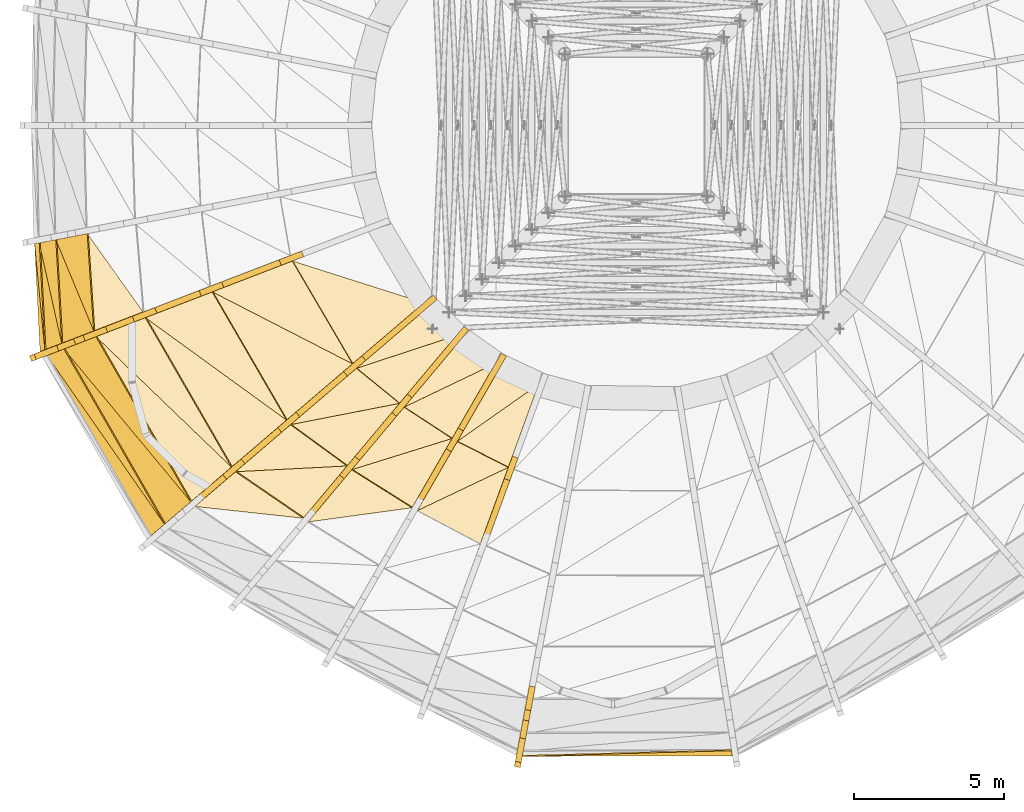
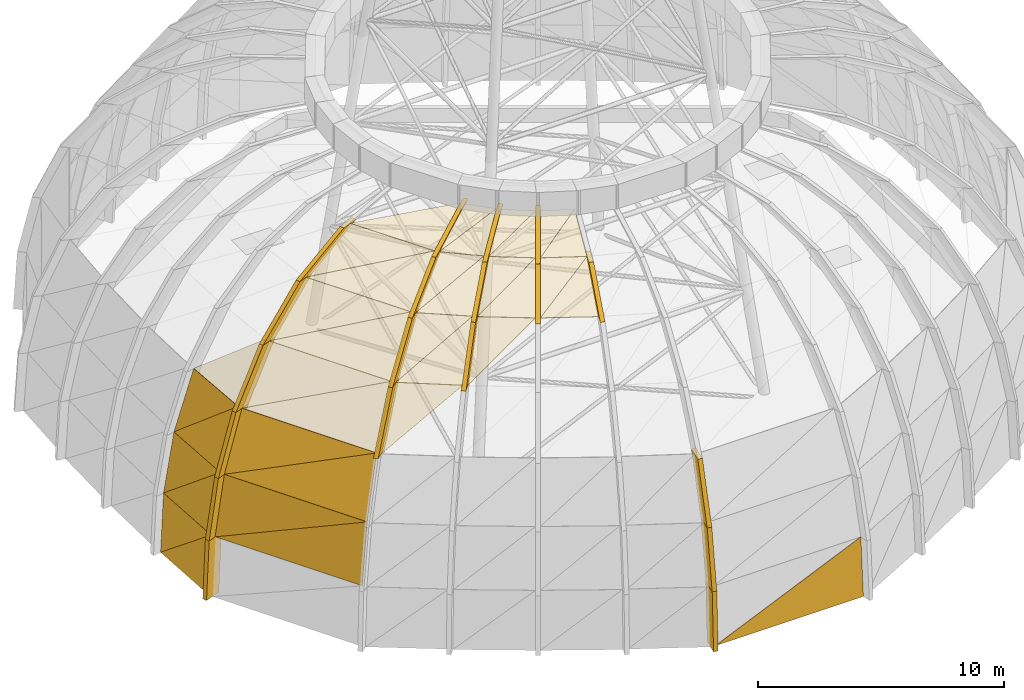
# One storey, part 17 of 27: 35 coverings, 19 shading devices.
"""IFC4 building model written with IfcOpenShell, lengths in metres."""

from ifc_helpers import new_model, si_unit, direction, frame, origin, place, context, subcontext, project, spatial, polyline, outline, extrude, material, layer, layer_set, type_object, element, save


model = new_model("IFC4")

# Units and contexts
model_context = context("Model", 3, precision=1e-05, world=origin(), true_north=direction((0.0, 1.0)))
body_context = subcontext(model_context, "Body", "Model", "MODEL_VIEW")
ifc_project = project(units=[si_unit("LENGTHUNIT", "METRE"), si_unit("AREAUNIT", "SQUARE_METRE"), si_unit("VOLUMEUNIT", "CUBIC_METRE"), si_unit("PLANEANGLEUNIT", "RADIAN"), si_unit("MASSUNIT", "GRAM", prefix="KILO")], contexts=[model_context])

# Site, building, storey
site_placement = place(None, origin())
site = spatial("IfcSite", under=ifc_project, at=site_placement, CompositionType="ELEMENT")
building_placement = place(site_placement, origin())
building = spatial("IfcBuilding", under=site, at=building_placement, Name="Ayvan Gate Tower", CompositionType="ELEMENT")
storey_placement = place(building_placement, frame((0.0, 0.0, 267.699951171875)))
storey = spatial("IfcBuildingStorey", under=building, at=storey_placement, Name="Roof", CompositionType="ELEMENT", Elevation=267.699951171875)

# Shading devices
ifc_material_1 = material(Name="Bronze anodised aluminium", Category="aluminium")
ifc_layer_1 = layer(ifc_material_1, 0.199951171875)
ifc_layer_set_1 = layer_set([ifc_layer_1], Name="Bronze anodised aluminium")
shading_device_type = type_object("IfcShadingDeviceType", Name="Crown frame rib 800 x 200", PredefinedType="USERDEFINED", material=ifc_layer_set_1)
shading_device_1_placement = place(storey_placement, frame((-19.433349609375, -7.376220703125, 0.0), z_axis=(-0.359336865758, 0.933207758375, 0.000544624427), x_axis=(-0.933207896762, -0.35933691909, 7.7547e-08)))
element("IfcShadingDevice", 1, at=shading_device_1_placement, inside=storey, type_object=shading_device_type, Name="CROWN FRAME rib FD01.4.5", ObjectType="FIN", PredefinedType="USERDEFINED", context=body_context, shape_type="SweptSolid", body=[
    extrude(outline(polyline([(0.0, 0.0), (0.8000607028774722, 2.710505431213761e-20), (0.631877666697341, 2.870117564161158), (-0.1680953074401191, 2.870117688238294), (0.0, 0.0)])), origin(), (0.0, 0.0, -1.0), 0.199951171875),
])
shading_device_2_placement = place(storey_placement, frame((-19.2763671875, -7.31591796875, 2.8701171875), z_axis=(-0.359203980687, 0.933258940476, 0.000500280807), x_axis=(-0.933259057264, -0.359204025638, 0.0)))
element("IfcShadingDevice", 2, at=shading_device_2_placement, inside=storey, type_object=shading_device_type, Name="CROWN FRAME rib FD02.4.5", ObjectType="FIN", PredefinedType="USERDEFINED", context=body_context, shape_type="SweptSolid", body=[
    extrude(outline(polyline([(0.0, 0.0), (0.7999729822484152, -2.710505431213761e-20), (0.19961234039153594, 2.7768558162469885), (-0.6003606418568792, 2.7768558162469885), (0.0, 0.0)])), origin(), (0.0, 0.0, -1.0), 0.199951171875),
])
shading_device_3_placement = place(storey_placement, frame((-18.716064453125, -7.10009765625, 5.64697265625), z_axis=(-0.359336855256, 0.933207731103, 0.000595872754), x_axis=(-0.933207896795, -0.359336919003, -8.4853e-08)))
element("IfcShadingDevice", 3, at=shading_device_3_placement, inside=storey, type_object=shading_device_type, Name="CROWN FRAME rib FD03.4.5", ObjectType="FIN", PredefinedType="USERDEFINED", context=body_context, shape_type="SweptSolid", body=[
    extrude(outline(polyline([(0.0, 0.0), (0.79997297413747, 0.0), (-0.3397502041687962, 2.660156693434655), (-1.1398109070462572, 2.660156557667163), (0.0, 0.0)])), origin(), (0.0, 0.0, -1.0), 0.199951171875),
])
shading_device_4_placement = place(storey_placement, frame((-17.652587890625, -6.6904296875, 8.30712890625), z_axis=(-0.359469683671, 0.933156445386, 0.000771333444), x_axis=(-0.93315672298, -0.359469790605, 0.0)))
element("IfcShadingDevice", 4, at=shading_device_4_placement, inside=storey, type_object=shading_device_type, Name="CROWN FRAME rib FD04.4.5", ObjectType="FIN", PredefinedType="USERDEFINED", context=body_context, shape_type="SweptSolid", body=[
    extrude(outline(polyline([(0.0, 0.0), (0.8000607109875282, 0.0), (-0.9576389630111862, 2.3798835204622404), (-1.7576996739987145, 2.3798835204622404), (0.0, 0.0)])), origin(), (0.0, 0.0, -1.0), 0.199951171875),
])
shading_device_5_placement = place(storey_placement, frame((-16.012451171875, -6.058837890625, 10.68701171875), z_axis=(-0.359469607619, 0.933156247962, 0.001009003425), x_axis=(-0.93315672298, -0.359469790605, 0.0)))
element("IfcShadingDevice", 5, at=shading_device_5_placement, inside=storey, type_object=shading_device_type, Name="CROWN FRAME rib FD05.4.5", ObjectType="FIN", PredefinedType="USERDEFINED", context=body_context, shape_type="SweptSolid", body=[
    extrude(outline(polyline([(0.0, 0.0), (0.8000607109875282, 0.0), (-1.5805588739974379, 1.865967746734845), (-2.380619584984966, 1.865967746734845), (0.0, 0.0)])), origin(), (0.0, 0.0, -1.0), 0.199951171875),
])
shading_device_6_placement = place(storey_placement, frame((-13.790771484375, -5.203369140625, 12.552978515625), z_axis=(-0.359469319253, 0.933155499385, 0.00161940853), x_axis=(-0.93315672298, -0.359469790605, 0.0)))
element("IfcShadingDevice", 6, at=shading_device_6_placement, inside=storey, type_object=shading_device_type, Name="CROWN FRAME rib FD06.4.5", ObjectType="FIN", PredefinedType="USERDEFINED", context=body_context, shape_type="SweptSolid", body=[
    extrude(outline(polyline([(0.0, 0.0), (0.8000607109875282, 0.0), (-2.0496857366953956, 1.1201186562475833), (-2.8497464476829237, 1.1201186562475833), (0.0, 0.0)])), origin(), (0.0, 0.0, -1.0), 0.199951171875),
])
shading_device_7_placement = place(storey_placement, frame((-14.492919921875, -12.248779296875, 8.30712890625), z_axis=(-0.649471031105, 0.760386097963, 0.000601481535), x_axis=(-0.760386235536, -0.649471148556, -6.9784e-08)))
element("IfcShadingDevice", 7, at=shading_device_7_placement, inside=storey, type_object=shading_device_type, Name="CROWN FRAME rib FD04.5.1", ObjectType="FIN", PredefinedType="USERDEFINED", context=body_context, shape_type="SweptSolid", body=[
    extrude(outline(polyline([(0.0, 0.0), (0.8000383552451382, 2.710505431213761e-20), (-0.974522896121218, 2.3798831749910727), (-1.7747198136584843, 2.3798830633202717), (0.0, 0.0)])), origin(), (0.0, 0.0, -1.0), 0.199951171875),
])
shading_device_8_placement = place(storey_placement, frame((-13.1435546875, -11.09619140625, 10.68701171875), z_axis=(-0.649470992983, 0.760386053331, 0.000692223425), x_axis=(-0.760386235545, -0.649471148546, -8.0312e-08)))
element("IfcShadingDevice", 8, at=shading_device_8_placement, inside=storey, type_object=shading_device_type, Name="CROWN FRAME rib FD05.5.1", ObjectType="FIN", PredefinedType="USERDEFINED", context=body_context, shape_type="SweptSolid", body=[
    extrude(outline(polyline([(0.0, 0.0), (0.8000383552451389, 5.421010862427522e-20), (-1.6036272104933176, 1.8659671151455581), (-2.403824128030582, 1.8659669866276567), (0.0, 0.0)])), origin(), (0.0, 0.0, -1.0), 0.199951171875),
])
shading_device_9_placement = place(storey_placement, frame((-11.31591796875, -9.534912109375, 12.552978515625), z_axis=(-0.649545812702, 0.760321067581, 0.001453063698), x_axis=(-0.760321870546, -0.649546498081, -3.12581e-07)))
element("IfcShadingDevice", 9, at=shading_device_9_placement, inside=storey, type_object=shading_device_type, Name="CROWN FRAME rib FD06.5.1", ObjectType="FIN", PredefinedType="USERDEFINED", context=body_context, shape_type="SweptSolid", body=[
    extrude(outline(polyline([(0.0, 0.0), (0.8000383421184255, 0.0), (-2.0774221158296022, 1.1201177206438133), (-2.8774334131793595, 1.1201172204988132), (0.0, 0.0)])), origin(), (0.0, 0.0, -1.0), 0.199951171875),
])
shading_device_10_placement = place(storey_placement, frame((-9.128173828125, -7.666015625, 13.673095703125), z_axis=(-0.649525977119, 0.760323876411, 0.004858807143), x_axis=(-0.760332851436, -0.649533644261, 0.0)))
element("IfcShadingDevice", 10, at=shading_device_10_placement, inside=storey, type_object=shading_device_type, Name="CROWN FRAME rib FD07.5.1", ObjectType="FIN", PredefinedType="USERDEFINED", context=body_context, shape_type="SweptSolid", body=[
    extrude(outline(polyline([(0.0, 0.0), (0.7998527167760876, 0.0), (-2.31985355644275, 0.326908155722765), (-3.1197062732188368, 0.326908155722765), (0.0, 0.0)])), origin(), (0.0, 0.0, -1.0), 0.199951171875),
])
shading_device_11_placement = place(storey_placement, frame((-10.807861328125, -12.744873046875, 10.68701171875), z_axis=(-0.766542525674, 0.642192971847, 0.000862116076), x_axis=(-0.642193210567, -0.766542810482, -1.0082e-07)))
element("IfcShadingDevice", 11, at=shading_device_11_placement, inside=storey, type_object=shading_device_type, Name="CROWN FRAME rib FD05.5.2", ObjectType="FIN", PredefinedType="USERDEFINED", context=body_context, shape_type="SweptSolid", body=[
    extrude(outline(polyline([(0.0, 0.0), (0.8001397090269313, 0.0), (-1.4632433848154347, 1.865967342785733), (-2.2632263083905677, 1.8659671814614818), (0.0, 0.0)])), origin(), (0.0, 0.0, -1.0), 0.199951171875),
])
shading_device_12_placement = place(storey_placement, frame((-9.3544921875, -11.010009765625, 12.552978515625), z_axis=(-0.766616837946, 0.642102638152, 0.001681027904), x_axis=(-0.642103545399, -0.766617921123, 0.0)))
element("IfcShadingDevice", 12, at=shading_device_12_placement, inside=storey, type_object=shading_device_type, Name="CROWN FRAME rib FD06.5.2", ObjectType="FIN", PredefinedType="USERDEFINED", context=body_context, shape_type="SweptSolid", body=[
    extrude(outline(polyline([(0.0, 0.0), (0.7999829290476004, 1.0842021724855044e-19), (-1.9094981913355675, 1.120118770147627), (-2.7094811203831677, 1.120118770147627), (0.0, 0.0)])), origin(), (0.0, 0.0, -1.0), 0.199951171875),
])
shading_device_13_placement = place(storey_placement, frame((-7.614501953125, -8.93310546875, 13.673095703125), z_axis=(-0.766604452941, 0.642092264725, 0.005927588981), x_axis=(-0.642103545399, -0.766617921123, 0.0)))
element("IfcShadingDevice", 13, at=shading_device_13_placement, inside=storey, type_object=shading_device_type, Name="CROWN FRAME rib FD07.5.2", ObjectType="FIN", PredefinedType="USERDEFINED", context=body_context, shape_type="SweptSolid", body=[
    extrude(outline(polyline([(0.0, 0.0), (0.7999829290476004, 8.673617379884035e-19), (-2.1375647340023254, 0.3269100401318892), (-2.9375476630499255, 0.3269100401318892), (0.0, 0.0)])), origin(), (0.0, 0.0, -1.0), 0.199951171875),
])
shading_device_14_placement = place(storey_placement, frame((-7.251220703125, -12.359619140625, 12.552978515625), z_axis=(-0.866027329908, 0.499994989448, 0.001293978417), x_axis=(-0.499995407848, -0.866028055049, 1.70994e-07)))
element("IfcShadingDevice", 14, at=shading_device_14_placement, inside=storey, type_object=shading_device_type, Name="CROWN FRAME rib FD06.5.3", ObjectType="FIN", PredefinedType="USERDEFINED", context=body_context, shape_type="SweptSolid", body=[
    extrude(outline(polyline([(0.0, 0.0), (0.7999951411822099, -1.0842021724855044e-19), (-1.852975118888905, 1.1201184421004144), (-2.6530923292624835, 1.120118715710548), (0.0, 0.0)])), origin(), (0.0, 0.0, -1.0), 0.199951171875),
])
shading_device_15_placement = place(storey_placement, frame((-5.9248046875, -10.06201171875, 13.673095703125), z_axis=(-0.866079780747, 0.499872685294, 0.005754292224), x_axis=(-0.499880961361, -0.866094119867, 0.0)))
element("IfcShadingDevice", 15, at=shading_device_15_placement, inside=storey, type_object=shading_device_type, Name="CROWN FRAME rib FD07.5.3", ObjectType="FIN", PredefinedType="USERDEFINED", context=body_context, shape_type="SweptSolid", body=[
    extrude(outline(polyline([(0.0, 0.0), (0.7999951481672026, -4.336808689942018e-19), (-2.076337413070943, 0.3269097092171718), (-2.8763325612381454, 0.3269097092171718), (0.0, 0.0)])), origin(), (0.0, 0.0, -1.0), 0.199951171875),
])
shading_device_16_placement = place(storey_placement, frame((-5.04541015625, -13.53759765625, 12.552978515625), z_axis=(-0.9394445862, 0.342698155044, 0.001357935862), x_axis=(-0.34269847092, -0.939445452397, 7.0996e-08)))
element("IfcShadingDevice", 16, at=shading_device_16_placement, inside=storey, type_object=shading_device_type, Name="CROWN FRAME rib FD06.5.4", ObjectType="FIN", PredefinedType="USERDEFINED", context=body_context, shape_type="SweptSolid", body=[
    extrude(outline(polyline([(0.0, 0.0), (0.8001471998957537, 0.0), (-1.9093541540571828, 1.1201183557995615), (-2.7092719971530346, 1.1201184693971804), (0.0, 0.0)])), origin(), (0.0, 0.0, -1.0), 0.199951171875),
])
shading_device_17_placement = place(storey_placement, frame((-3.9091796875, -20.53369140625, 0.0), z_axis=(-0.983263643905, 0.182187583926, 0.000539294387), x_axis=(-0.18218761042, -0.98326378689, 0.0)))
element("IfcShadingDevice", 17, at=shading_device_17_placement, inside=storey, type_object=shading_device_type, Name="CROWN FRAME rib FD01.5.5", ObjectType="FIN", PredefinedType="USERDEFINED", context=body_context, shape_type="SweptSolid", body=[
    extrude(outline(polyline([(0.0, 0.0), (0.8000102355421451, 1.3552527156068805e-20), (0.6301371597043045, 2.870117604870288), (-0.16987307583784064, 2.870117604870288), (0.0, 0.0)])), origin(), (0.0, 0.0, -1.0), 0.199951171875),
])
shading_device_18_placement = place(storey_placement, frame((-3.878173828125, -20.36669921875, 2.8701171875), z_axis=(-0.983231242782, 0.182362460829, 0.000506061118), x_axis=(-0.182362484136, -0.983231368692, 9.0005e-08)))
element("IfcShadingDevice", 18, at=shading_device_18_placement, inside=storey, type_object=shading_device_type, Name="CROWN FRAME rib FD02.5.5", ObjectType="FIN", PredefinedType="USERDEFINED", context=body_context, shape_type="SweptSolid", body=[
    extrude(outline(polyline([(0.0, 0.0), (0.8000102228892775, 0.0), (0.1936653095594584, 2.7768558068926743), (-0.6061493886998006, 2.776855950884287), (0.0, 0.0)])), origin(), (0.0, 0.0, -1.0), 0.199951171875),
])
shading_device_19_placement = place(storey_placement, frame((-3.767578125, -19.7705078125, 5.64697265625), z_axis=(-0.983236281722, 0.182335095695, 0.000571999218), x_axis=(-0.182335125572, -0.983236442562, -8.5811e-08)))
element("IfcShadingDevice", 19, at=shading_device_19_placement, inside=storey, type_object=shading_device_type, Name="CROWN FRAME rib FD03.5.5", ObjectType="FIN", PredefinedType="USERDEFINED", context=body_context, shape_type="SweptSolid", body=[
    extrude(outline(polyline([(0.0, 0.0), (0.8000547419501706, 0.0), (-0.3506380295671277, 2.6601566550905527), (-1.1506482561057816, 2.6601565177871276), (0.0, 0.0)])), origin(), (0.0, 0.0, -1.0), 0.199951171875),
])

# Coverings
ifc_material_2 = material(Name="Pale metal cladding")
ifc_layer_2 = layer(ifc_material_2, 0.0400390625)
ifc_layer_set_2 = layer_set([ifc_layer_2], Name="Pale metal cladding")
covering_type = type_object("IfcCoveringType", Name="Dome cladding panel 40", PredefinedType="CLADDING", material=ifc_layer_set_2)
covering_1_placement = place(storey_placement, frame((-20.008544921875, -3.936279296875, 0.001220703125), z_axis=(-0.997170162946, -0.050595366846, 0.055603731744), x_axis=(0.050673763426, -0.998715259571, 0.0)))
element("IfcCovering", 20, at=covering_1_placement, inside=storey, type_object=covering_type, Name="Dome cladding panel 2.1A", PredefinedType="CLADDING", context=body_context, shape_type="SweptSolid", body=[
    extrude(outline(polyline([(0.0, 0.0), (3.5893281518641094, 0.0), (3.5370577809580284, 2.8745643807121617), (0.0, 0.0)])), origin(), (0.0, 0.0, -1.0), 0.0400390625),
])
covering_2_placement = place(storey_placement, frame((-20.008544921875, -3.936279296875, 0.0009765625), z_axis=(-0.997190396793, -0.051856366722, 0.054057652326), x_axis=(0.074348210418, -0.773264240345, 0.629710058846)))
element("IfcCovering", 21, at=covering_2_placement, inside=storey, type_object=covering_type, Name="Dome cladding panel 2.1B", PredefinedType="CLADDING", context=body_context, shape_type="SweptSolid", body=[
    extrude(outline(polyline([(0.0, 0.0), (4.557839194694655, 0.0), (1.7959521971389674, 2.2442667604692623), (0.0, 0.0)])), origin(), (0.0, 0.0, -1.0), 0.0400390625),
])
covering_3_placement = place(storey_placement, frame((-19.85400390625, -3.90673828125, 2.8740234375), z_axis=(-0.978201474108, -0.050868895782, 0.201331148844), x_axis=(0.051932301296, -0.998650607611, 0.0)))
element("IfcCovering", 22, at=covering_3_placement, inside=storey, type_object=covering_type, Name="Dome cladding panel 2.2A", PredefinedType="CLADDING", context=body_context, shape_type="SweptSolid", body=[
    extrude(outline(polyline([(0.0, 0.0), (3.558757238055775, -6.938893903907228e-18), (3.372325962261193, 2.834905154527764), (0.0, 0.0)])), origin(), (0.0, 0.0, -1.0), 0.0400390625),
])
covering_4_placement = place(storey_placement, frame((-19.85400390625, -3.906982421875, 2.8740234375), z_axis=(-0.979052472019, -0.055602738945, 0.195868814401), x_axis=(0.169129741348, -0.757703457882, 0.630301991513)))
element("IfcCovering", 23, at=covering_4_placement, inside=storey, type_object=covering_type, Name="Dome cladding panel 2.2B", PredefinedType="CLADDING", context=body_context, shape_type="SweptSolid", body=[
    extrude(outline(polyline([(0.0, 0.0), (4.4055952640828195, 0.0), (1.7634755148663597, 2.216792596499113), (0.0, 0.0)])), origin(), (0.0, 0.0, -1.0), 0.0400390625),
])
covering_5_placement = place(storey_placement, frame((-19.303466796875, -3.801513671875, 5.654541015625), z_axis=(-0.924453415946, -0.052501927551, 0.377663116216), x_axis=(0.056701031842, -0.998391202379, 0.0)))
element("IfcCovering", 24, at=covering_5_placement, inside=storey, type_object=covering_type, Name="Dome cladding panel 2.3A", PredefinedType="CLADDING", context=body_context, shape_type="SweptSolid", body=[
    extrude(outline(polyline([(0.0, 0.0), (3.4489079699367053, 0.0), (3.1001992924741786, 2.8729155532808415), (0.0, 0.0)])), origin(), (0.0, 0.0, -1.0), 0.0400390625),
])
covering_6_placement = place(storey_placement, frame((-19.303466796875, -3.8017578125, 5.654296875), z_axis=(-0.927593687395, -0.061904938824, 0.368426016527), x_axis=(0.297877114819, -0.717746951473, 0.62937154219)))
element("IfcCovering", 25, at=covering_6_placement, inside=storey, type_object=covering_type, Name="Dome cladding panel 2.3B", PredefinedType="CLADDING", context=body_context, shape_type="SweptSolid", body=[
    extrude(outline(polyline([(0.0, 0.0), (4.226686578082218, -2.220446049250313e-16), (1.841286312283735, 2.1941894377933204), (0.0, 0.0)])), origin(), (0.0, 0.0, -1.0), 0.0400390625),
])
covering_7_placement = place(storey_placement, frame((-18.258056640625, -3.601318359375, 8.318603515625), z_axis=(-0.815374671215, -0.054415763955, 0.576370601413), x_axis=(0.066589004408, -0.997780489132, 0.0)))
element("IfcCovering", 26, at=covering_7_placement, inside=storey, type_object=covering_type, Name="Dome cladding panel 2.4A", PredefinedType="CLADDING", context=body_context, shape_type="SweptSolid", body=[
    extrude(outline(polyline([(0.0, 0.0), (3.241080331771374, -2.7755575615628914e-17), (2.7201054309489314, 2.9122815811692666), (0.0, 0.0)])), origin(), (0.0, 0.0, -1.0), 0.0400390625),
])
covering_8_placement = place(storey_placement, frame((-19.5947265625, -7.656005859375, 2.874267578125), z_axis=(-0.848051943643, -0.486621103083, 0.209780368285), x_axis=(0.49769555854, -0.867351791956, 0.0)))
element("IfcCovering", 27, at=covering_8_placement, inside=storey, type_object=covering_type, Name="Dome cladding panel 3.2A", PredefinedType="CLADDING", context=body_context, shape_type="SweptSolid", body=[
    extrude(outline(polyline([(0.0, 0.0), (6.921549046680008, 1.1102230246251565e-16), (6.809393473950144, 2.8400507597173843), (0.0, 0.0)])), origin(), (0.0, 0.0, -1.0), 0.0400390625),
])
covering_9_placement = place(storey_placement, frame((-19.5947265625, -7.656005859375, 2.874267578125), z_axis=(-0.848032132568, -0.48697608149, 0.209035399368), x_axis=(0.529385090632, -0.760325117355, 0.376373673012)))
element("IfcCovering", 28, at=covering_9_placement, inside=storey, type_object=covering_type, Name="Dome cladding panel 3.2B", PredefinedType="CLADDING", context=body_context, shape_type="SweptSolid", body=[
    extrude(outline(polyline([(0.0, 0.0), (7.377921645073639, -8.881784197001252e-16), (1.177786845992497, 2.585446894850809), (0.0, 0.0)])), origin(), (0.0, 0.0, -1.0), 0.0400390625),
])
covering_10_placement = place(storey_placement, frame((-19.033203125, -7.439697265625, 5.65478515625), z_axis=(-0.798061773804, -0.458280978361, 0.391249217335), x_axis=(0.497977360327, -0.867190030271, 0.0)))
element("IfcCovering", 29, at=covering_10_placement, inside=storey, type_object=covering_type, Name="Dome cladding panel 3.3A", PredefinedType="CLADDING", context=body_context, shape_type="SweptSolid", body=[
    extrude(outline(polyline([(0.0, 0.0), (6.7176042733157955, 0.0), (6.5052708203749, 2.890579469764804), (0.0, 0.0)])), origin(), (0.0, 0.0, -1.0), 0.0400390625),
])
covering_11_placement = place(storey_placement, frame((-19.033203125, -7.439697265625, 5.65478515625), z_axis=(-0.79824668261, -0.45919515977, 0.389797433222), x_axis=(0.592846110901, -0.713363363805, 0.373692654424)))
element("IfcCovering", 30, at=covering_11_placement, inside=storey, type_object=covering_type, Name="Dome cladding panel 3.3B", PredefinedType="CLADDING", context=body_context, shape_type="SweptSolid", body=[
    extrude(outline(polyline([(0.0, 0.0), (7.118567139350931, 0.0), (1.332490835104268, 2.5689510931118447), (0.0, 0.0)])), origin(), (0.0, 0.0, -1.0), 0.0400390625),
])
covering_12_placement = place(storey_placement, frame((-17.9677734375, -7.029052734375, 8.31884765625), z_axis=(-0.699123872385, -0.402174296834, 0.591169726921), x_axis=(0.498637037834, -0.866810881623, 0.0)))
element("IfcCovering", 31, at=covering_12_placement, inside=storey, type_object=covering_type, Name="Dome cladding panel 3.4A", PredefinedType="CLADDING", context=body_context, shape_type="SweptSolid", body=[
    extrude(outline(polyline([(0.0, 0.0), (6.330733663436273, 6.661338147750939e-16), (6.0045014212399055, 2.950705018591273), (0.0, 0.0)])), origin(), (0.0, 0.0, -1.0), 0.0400390625),
])
covering_13_placement = place(storey_placement, frame((-17.9677734375, -7.029052734375, 8.31884765625), z_axis=(-0.699715394421, -0.403773239695, 0.589377245672), x_axis=(0.673523482221, -0.647942945783, 0.355719071609)))
element("IfcCovering", 32, at=covering_13_placement, inside=storey, type_object=covering_type, Name="Dome cladding panel 3.4B", PredefinedType="CLADDING", context=body_context, shape_type="SweptSolid", body=[
    extrude(outline(polyline([(0.0, 0.0), (6.690343595392674, 2.220446049250313e-16), (1.5420048493329843, 2.5248801753624424), (0.0, 0.0)])), origin(), (0.0, 0.0, -1.0), 0.0400390625),
])
covering_14_placement = place(storey_placement, frame((-16.324462890625, -6.3955078125, 10.70263671875), z_axis=(-0.536729668227, -0.30972175074, 0.784852661564), x_axis=(0.499807226346, -0.866136673102, 0.0)))
element("IfcCovering", 33, at=covering_14_placement, inside=storey, type_object=covering_type, Name="Dome cladding panel 3.5A", PredefinedType="CLADDING", context=body_context, shape_type="SweptSolid", body=[
    extrude(outline(polyline([(0.0, 0.0), (5.734144377683365, 2.220446049250313e-16), (5.295329160870301, 3.0111662709168048), (0.0, 0.0)])), origin(), (0.0, 0.0, -1.0), 0.0400390625),
])
covering_15_placement = place(storey_placement, frame((-16.324462890625, -6.395751953125, 10.70263671875), z_axis=(-0.537753256213, -0.312015211575, 0.783241944215), x_axis=(0.770503778457, -0.559011011803, 0.306317835045)))
element("IfcCovering", 34, at=covering_15_placement, inside=storey, type_object=covering_type, Name="Dome cladding panel 3.5B", PredefinedType="CLADDING", context=body_context, shape_type="SweptSolid", body=[
    extrude(outline(polyline([(0.0, 0.0), (6.091603502614921, 4.440892098500626e-16), (1.8049869404468901, 2.42702634987808), (0.0, 0.0)])), origin(), (0.0, 0.0, -1.0), 0.0400390625),
])
covering_16_placement = place(storey_placement, frame((-14.0986328125, -5.53759765625, 12.571533203125), z_axis=(-0.318279493391, -0.184672137868, 0.929835665901), x_axis=(0.501860492762, -0.864948579862, 0.0)))
element("IfcCovering", 35, at=covering_16_placement, inside=storey, type_object=covering_type, Name="Dome cladding panel 3.6A", PredefinedType="CLADDING", context=body_context, shape_type="SweptSolid", body=[
    extrude(outline(polyline([(0.0, 0.0), (4.926006339222046, -2.220446049250313e-16), (4.407571856138596, 3.0440031190324808), (0.0, 0.0)])), origin(), (0.0, 0.0, -1.0), 0.0400390625),
])
covering_17_placement = place(storey_placement, frame((-14.0986328125, -5.53759765625, 12.571533203125), z_axis=(-0.31927972389, -0.186999523819, 0.929027252563), x_axis=(0.869991858473, -0.446527149909, 0.209111622311)))
element("IfcCovering", 36, at=covering_17_placement, inside=storey, type_object=covering_type, Name="Dome cladding panel 3.6B", PredefinedType="CLADDING", context=body_context, shape_type="SweptSolid", body=[
    extrude(outline(polyline([(0.0, 0.0), (5.356551563805253, -2.7755575615628914e-16), (2.090586924716684, 2.2373126626399404), (0.0, 0.0)])), origin(), (0.0, 0.0, -1.0), 0.0400390625),
])
covering_18_placement = place(storey_placement, frame((-11.4345703125, -4.5107421875, 13.69287109375), z_axis=(-0.091339448323, -0.053496768082, 0.994381818511), x_axis=(0.505388680139, -0.862891813606, 0.0)))
element("IfcCovering", 37, at=covering_18_placement, inside=storey, type_object=covering_type, Name="Dome cladding panel 3.7A", PredefinedType="CLADDING", context=body_context, shape_type="SweptSolid", body=[
    extrude(outline(polyline([(0.0, 0.0), (3.9587994359636287, 0.0), (3.4090812629408855, 3.0882936867442488), (0.0, 0.0)])), origin(), (0.0, 0.0, -1.0), 0.0400390625),
])
covering_19_placement = place(storey_placement, frame((-14.676513671875, -12.674072265625, 8.31884765625), z_axis=(-0.458664052588, -0.669495709788, 0.584296826484), x_axis=(0.83095877911, -0.090163673694, 0.548979070062)))
element("IfcCovering", 38, at=covering_19_placement, inside=storey, type_object=covering_type, Name="Dome cladding panel 4.4B", PredefinedType="CLADDING", context=body_context, shape_type="SweptSolid", body=[
    extrude(outline(polyline([(0.0, 0.0), (4.3351066411903005, -2.220446049250313e-16), (2.323851182518358, 1.8473774016416422), (0.0, 0.0)])), origin(), (0.0, 0.0, -1.0), 0.0400390625),
])
covering_20_placement = place(storey_placement, frame((-13.3251953125, -11.5185546875, 10.702392578125), z_axis=(-0.360523995276, -0.526244136097, 0.770123079809), x_axis=(0.824969423465, -0.56517736185, 0.0)))
element("IfcCovering", 39, at=covering_20_placement, inside=storey, type_object=covering_type, Name="Dome cladding panel 4.5A", PredefinedType="CLADDING", context=body_context, shape_type="SweptSolid", body=[
    extrude(outline(polyline([(0.0, 0.0), (2.7309250784549017, -2.220446049250313e-16), (2.949606136562705, 2.925192789872269), (0.0, 0.0)])), origin(), (0.0, 0.0, -1.0), 0.0400390625),
])
covering_21_placement = place(storey_placement, frame((-13.3251953125, -11.51806640625, 10.70263671875), z_axis=(-0.367464241357, -0.504010836123, 0.781628497685), x_axis=(0.892251486613, 0.0460759561, 0.449181801619)))
element("IfcCovering", 40, at=covering_21_placement, inside=storey, type_object=covering_type, Name="Dome cladding panel 4.5B", PredefinedType="CLADDING", context=body_context, shape_type="SweptSolid", body=[
    extrude(outline(polyline([(0.0, 0.0), (4.154146027617358, 0.0), (2.540807343217878, 1.6745086294981628), (0.0, 0.0)])), origin(), (0.0, 0.0, -1.0), 0.0400390625),
])
covering_22_placement = place(storey_placement, frame((-11.49462890625, -9.952880859375, 12.571533203125), z_axis=(-0.225513302651, -0.309312132811, 0.92383426805), x_axis=(0.808040851197, -0.589126457389, 0.0)))
element("IfcCovering", 41, at=covering_22_placement, inside=storey, type_object=covering_type, Name="Dome cladding panel 4.6A", PredefinedType="CLADDING", context=body_context, shape_type="SweptSolid", body=[
    extrude(outline(polyline([(0.0, 0.0), (2.3252614607488034, 0.0), (2.5076853800536103, 2.92617181681059), (0.0, 0.0)])), origin(), (0.0, 0.0, -1.0), 0.0400390625),
])
covering_23_placement = place(storey_placement, frame((-11.494873046875, -9.952392578125, 12.571533203125), z_axis=(-0.231979383262, -0.285696819772, 0.929818741967), x_axis=(0.939071774611, 0.183468384219, 0.290660547927)))
element("IfcCovering", 42, at=covering_23_placement, inside=storey, type_object=covering_type, Name="Dome cladding panel 4.6B", PredefinedType="CLADDING", context=body_context, shape_type="SweptSolid", body=[
    extrude(outline(polyline([(0.0, 0.0), (3.8536953002061813, -1.1102230246251565e-16), (2.7231353318226894, 1.4557689605526034), (0.0, 0.0)])), origin(), (0.0, 0.0, -1.0), 0.0400390625),
])
covering_24_placement = place(storey_placement, frame((-9.3037109375, -8.07958984375, 13.69287109375), z_axis=(-0.069726735589, -0.085872745805, 0.993863196759), x_axis=(0.776312486722, -0.6303482553, 0.0)))
element("IfcCovering", 43, at=covering_24_placement, inside=storey, type_object=covering_type, Name="Dome cladding panel 4.7A", PredefinedType="CLADDING", context=body_context, shape_type="SweptSolid", body=[
    extrude(outline(polyline([(0.0, 0.0), (1.8432116288206544, -1.1102230246251565e-16), (1.888344594219637, 2.9553018859130593), (0.0, 0.0)])), origin(), (0.0, 0.0, -1.0), 0.0400390625),
])
covering_25_placement = place(storey_placement, frame((-9.3037109375, -8.079345703125, 13.69287109375), z_axis=(-0.073597135705, -0.074287828324, 0.994517360421), x_axis=(0.945908511515, 0.310754753856, 0.093212503453)))
element("IfcCovering", 44, at=covering_25_placement, inside=storey, type_object=covering_type, Name="Dome cladding panel 4.7B", PredefinedType="CLADDING", context=body_context, shape_type="SweptSolid", body=[
    extrude(outline(polyline([(0.0, 0.0), (3.5070863324702763, 1.0408340855860843e-17), (2.9039363029802496, 1.1861289616096753), (0.0, 0.0)])), origin(), (0.0, 0.0, -1.0), 0.0400390625),
])
covering_26_placement = place(storey_placement, frame((-10.91845703125, -13.190673828125, 10.702392578125), z_axis=(-0.340316585632, -0.541607421857, 0.768665091007), x_axis=(0.873864737351, 0.119667804092, 0.471211245067)))
element("IfcCovering", 45, at=covering_26_placement, inside=storey, type_object=covering_type, Name="Dome cladding panel 5.5B", PredefinedType="CLADDING", context=body_context, shape_type="SweptSolid", body=[
    extrude(outline(polyline([(0.0, 0.0), (3.959936899660204, -1.1102230246251565e-16), (2.3571332051059373, 1.7459946496146166), (0.0, 0.0)])), origin(), (0.0, 0.0, -1.0), 0.0400390625),
])
covering_27_placement = place(storey_placement, frame((-9.462158203125, -11.45166015625, 12.5712890625), z_axis=(-0.207064000925, -0.329538448713, 0.921156289856), x_axis=(0.846722729396, -0.532034415733, 0.0)))
element("IfcCovering", 46, at=covering_27_placement, inside=storey, type_object=covering_type, Name="Dome cladding panel 5.6A", PredefinedType="CLADDING", context=body_context, shape_type="SweptSolid", body=[
    extrude(outline(polyline([(0.0, 0.0), (2.370121726781069, -1.1102230246251565e-16), (2.2708220935631873, 2.8780516687747792), (0.0, 0.0)])), origin(), (0.0, 0.0, -1.0), 0.0400390625),
])
covering_28_placement = place(storey_placement, frame((-9.462158203125, -11.451416015625, 12.571533203125), z_axis=(-0.210138081191, -0.32184020602, 0.923179759647), x_axis=(0.909225289431, 0.282763537605, 0.305539121652)))
element("IfcCovering", 47, at=covering_28_placement, inside=storey, type_object=covering_type, Name="Dome cladding panel 5.6B", PredefinedType="CLADDING", context=body_context, shape_type="SweptSolid", body=[
    extrude(outline(polyline([(0.0, 0.0), (3.666035241067929, 0.0), (2.511555552324773, 1.5125636169820165), (0.0, 0.0)])), origin(), (0.0, 0.0, -1.0), 0.0400390625),
])
covering_29_placement = place(storey_placement, frame((-7.71923828125, -9.3701171875, 13.69287109375), z_axis=(-0.061829010932, -0.094695171401, 0.993584419121), x_axis=(0.837322047833, -0.54670996718, 0.0)))
element("IfcCovering", 48, at=covering_29_placement, inside=storey, type_object=covering_type, Name="Dome cladding panel 5.7A", PredefinedType="CLADDING", context=body_context, shape_type="SweptSolid", body=[
    extrude(outline(polyline([(0.0, 0.0), (1.9028063609149024, 0.0), (1.745233701893285, 2.890582183386302), (0.0, 0.0)])), origin(), (0.0, 0.0, -1.0), 0.0400390625),
])
covering_30_placement = place(storey_placement, frame((-7.71923828125, -9.369873046875, 13.69287109375), z_axis=(-0.063638233704, -0.09096717954, 0.99381846806), x_axis=(0.89779964964, 0.429630789898, 0.096815151073)))
element("IfcCovering", 49, at=covering_30_placement, inside=storey, type_object=covering_type, Name="Dome cladding panel 5.7B", PredefinedType="CLADDING", context=body_context, shape_type="SweptSolid", body=[
    extrude(outline(polyline([(0.0, 0.0), (3.376582004503143, -5.898059818321144e-17), (2.6927290418180374, 1.2186289545209021), (0.0, 0.0)])), origin(), (0.0, 0.0, -1.0), 0.0400390625),
])
covering_31_placement = place(storey_placement, frame((-7.28173828125, -12.81298828125, 12.571533203125), z_axis=(-0.179911630605, -0.340503092719, 0.922870223283), x_axis=(0.884168496628, -0.467168138437, 0.0)))
element("IfcCovering", 50, at=covering_31_placement, inside=storey, type_object=covering_type, Name="Dome cladding panel 6.6A", PredefinedType="CLADDING", context=body_context, shape_type="SweptSolid", body=[
    extrude(outline(polyline([(0.0, 0.0), (2.3699769810472135, 0.0), (2.002093464925054, 2.9085560480800563), (0.0, 0.0)])), origin(), (0.0, 0.0, -1.0), 0.0400390625),
])
covering_32_placement = place(storey_placement, frame((-7.281494140625, -12.81298828125, 12.5712890625), z_axis=(-0.175941261379, -0.347435271334, 0.921050164094), x_axis=(0.85645876837, 0.407244865238, 0.31722231608)))
element("IfcCovering", 51, at=covering_32_placement, inside=storey, type_object=covering_type, Name="Dome cladding panel 6.6B", PredefinedType="CLADDING", context=body_context, shape_type="SweptSolid", body=[
    extrude(outline(polyline([(0.0, 0.0), (3.5310163589423778, -1.1102230246251565e-16), (2.4272447168583873, 1.5498943942902423), (0.0, 0.0)])), origin(), (0.0, 0.0, -1.0), 0.0400390625),
])
covering_33_placement = place(storey_placement, frame((-5.952392578125, -10.510498046875, 13.69287109375), z_axis=(-0.050315962694, -0.099360093329, 0.993778584873), x_axis=(0.892131629139, -0.451775559643, 0.0)))
element("IfcCovering", 52, at=covering_33_placement, inside=storey, type_object=covering_type, Name="Dome cladding panel 6.7A", PredefinedType="CLADDING", context=body_context, shape_type="SweptSolid", body=[
    extrude(outline(polyline([(0.0, 0.0), (1.9027570710211814, 1.1102230246251565e-16), (1.5541925965007868, 2.9351991646889664), (0.0, 0.0)])), origin(), (0.0, 0.0, -1.0), 0.0400390625),
])
covering_34_placement = place(storey_placement, frame((-5.952392578125, -10.510498046875, 13.69287109375), z_axis=(-0.047937679446, -0.102706626718, 0.993555900651), x_axis=(0.814247739328, 0.57211249934, 0.098427166467)))
element("IfcCovering", 53, at=covering_34_placement, inside=storey, type_object=covering_type, Name="Dome cladding panel 6.7B", PredefinedType="CLADDING", context=body_context, shape_type="SweptSolid", body=[
    extrude(outline(polyline([(0.0, 0.0), (3.3212811930652095, -1.0061396160665481e-16), (2.628307886670908, 1.2135923138809022), (0.0, 0.0)])), origin(), (0.0, 0.0, -1.0), 0.0400390625),
])
covering_35_placement = place(storey_placement, frame((-3.785400390625, -20.9833984375, 0.001220703125), z_axis=(0.00275904741, -0.998321142027, 0.05785572608), x_axis=(0.999996181038, 0.002763676694, 0.0)))
element("IfcCovering", 54, at=covering_35_placement, inside=storey, type_object=covering_type, Name="Dome cladding panel 8.1A", PredefinedType="CLADDING", context=body_context, shape_type="SweptSolid", body=[
    extrude(outline(polyline([(0.0, 0.0), (6.97878641734323, -2.168404344971009e-19), (6.953122958470577, 2.8749328305380137), (0.0, 0.0)])), origin(), (0.0, 0.0, -1.0), 0.0400390625),
])

save(model, "model.ifc")
